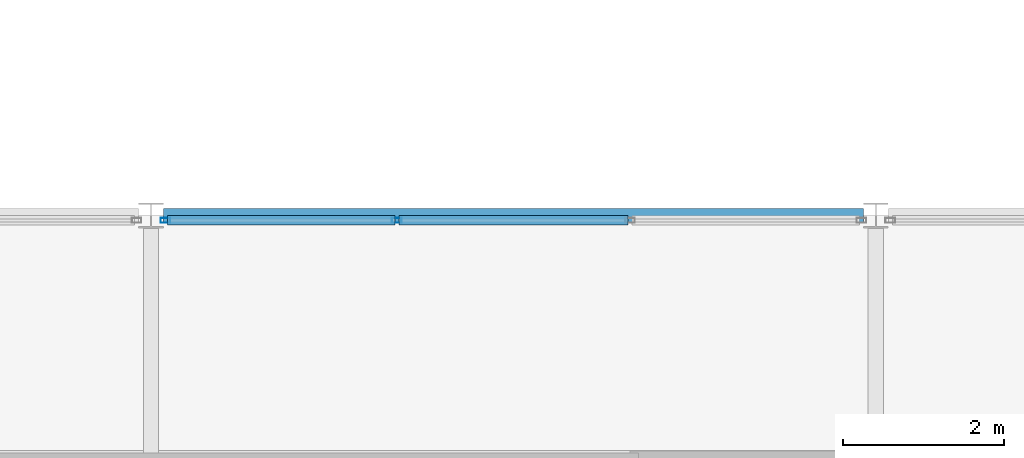
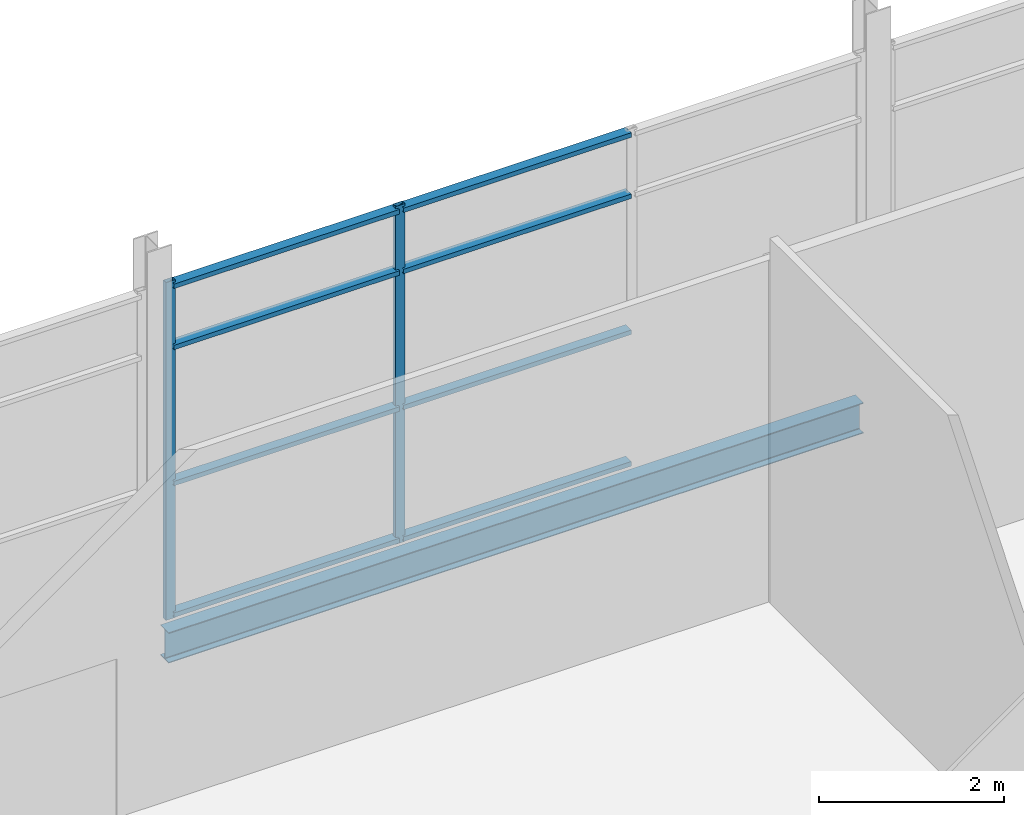
# One storey, part 16 of 61: 10 members, 1 beam, 1 element without a shape of its own.
"""IFC4 building model written with IfcOpenShell, lengths in metres."""

from ifc_helpers import new_model, si_unit, direction, frame, origin, origin_2d, place, context, subcontext, project, spatial, hollow_rectangle, i_section, extrude, material, layer, layer_set, material_profile, profile_set, type_object, element, aggregate, save


model = new_model("IFC4")

# Units and contexts
model_context = context("Model", 3, precision=1e-05, world=origin(), true_north=direction((0.0, 1.0)))
body_context = subcontext(model_context, "Body", "Model", "MODEL_VIEW")
ifc_project = project(units=[si_unit("LENGTHUNIT", "METRE"), si_unit("AREAUNIT", "SQUARE_METRE"), si_unit("VOLUMEUNIT", "CUBIC_METRE"), si_unit("PLANEANGLEUNIT", "RADIAN"), si_unit("MASSUNIT", "GRAM", prefix="KILO")], contexts=[model_context])

# Site, building, storey
site_placement = place(None, origin())
site = spatial("IfcSite", under=ifc_project, at=site_placement, CompositionType="ELEMENT")
building_placement = place(site_placement, origin())
building = spatial("IfcBuilding", under=site, at=building_placement, Name="Shorebreak Coast Museum", CompositionType="ELEMENT")
storey_placement = place(building_placement, frame((0.0, 0.0, 26.0)))
storey = spatial("IfcBuildingStorey", under=building, at=storey_placement, Name="L04", CompositionType="ELEMENT", Elevation=26.0)

# Beam
ifc_material_1 = material(Name="Steel Grade 300", Category="steel")
ifc_material_profile_1 = material_profile(ifc_material_1, i_section(OverallWidth=0.177978515625, OverallDepth=0.402587890625, WebThickness=0.007568359375, FlangeThickness=0.010986328125, FilletRadius=0.011474609375, at=origin_2d()), Name="410UB53.7")
ifc_profile_set_1 = profile_set([ifc_material_profile_1], Name="Steel Grade 300")
beam_type = type_object("IfcBeamType", Name="Floor girder east-west 410UB53.7", PredefinedType="BEAM", material=ifc_profile_set_1)
beam_placement = place(storey_placement, frame((81.154541015625, 63.0, -0.376220703125), z_axis=(1.0, 0.0, 0.0), x_axis=(0.0, 1.0, 0.0)))
element("IfcBeam", 1, at=beam_placement, inside=storey, type_object=beam_type, Name="Floor girder east-west L04 10H", PredefinedType="BEAM", context=body_context, shape_type="SweptSolid", body=[
    extrude(i_section(OverallWidth=0.177978515625, OverallDepth=0.402587890625, WebThickness=0.007568359375, FlangeThickness=0.010986328125, FilletRadius=0.011474609375, at=origin_2d()), origin(), (0.0, 0.0, 1.0), 8.69091796875),
])

# Curtain wall, members
ifc_material_2 = material(Name="Aluminium", Category="aluminium")
ifc_layer = layer(ifc_material_2, 0.1201171875)
ifc_layer_set = layer_set([ifc_layer], Name="Aluminium")
curtain_wall_type = type_object("IfcCurtainWallType", Name="Atrium fire screen", PredefinedType="NOTDEFINED", material=ifc_layer_set)
curtain_wall_placement = place(storey_placement, origin())
curtain_wall = element("IfcCurtainWall", 2, at=curtain_wall_placement, inside=storey, type_object=curtain_wall_type, Name="Atrium screen L04 S 51", PredefinedType="NOTDEFINED")
ifc_material_3 = material(Name="Aluminium", Category="aluminium")
ifc_material_profile_2 = material_profile(ifc_material_3, hollow_rectangle(XDim=0.06005859375, YDim=0.1201171875, WallThickness=0.00341796875, at=origin_2d()), Name="AL 120x60 RHS")
ifc_profile_set_2 = profile_set([ifc_material_profile_2], Name="Aluminium")
member_type_1 = type_object("IfcMemberType", Name="Screen mullion 50 x 120", PredefinedType="MULLION", material=ifc_profile_set_2)
member_1_placement = place(storey_placement, frame((81.178466796875, 62.93994140625, 0.0), z_axis=(0.0, 0.0, 1.0), x_axis=(0.0, 1.0, 0.0)))
member_1 = element("IfcMember", 3, at=member_1_placement, type_object=member_type_1, Name="CW4 mullion 1", PredefinedType="MULLION", context=body_context, shape_type="SweptSolid", body=[
    extrude(hollow_rectangle(XDim=0.06005859375, YDim=0.1201171875, WallThickness=0.00341796875, at=origin_2d()), origin(), (0.0, 0.0, 1.0), 4.469482421875),
])
member_2_placement = place(storey_placement, frame((84.05126953125, 62.93994140625, 0.0), z_axis=(0.0, 0.0, 1.0), x_axis=(0.0, 1.0, 0.0)))
member_2 = element("IfcMember", 4, at=member_2_placement, type_object=member_type_1, Name="CW4 mullion 2", PredefinedType="MULLION", context=body_context, shape_type="SweptSolid", body=[
    extrude(hollow_rectangle(XDim=0.06005859375, YDim=0.1201171875, WallThickness=0.00341796875, at=origin_2d()), origin(), (0.0, 0.0, 1.0), 4.469482421875),
])
ifc_material_4 = material(Name="Aluminium", Category="aluminium")
ifc_material_profile_3 = material_profile(ifc_material_4, hollow_rectangle(XDim=0.1201171875, YDim=0.06005859375, WallThickness=0.00341796875, at=origin_2d()), Name="AL 60x120 RHS")
ifc_profile_set_3 = profile_set([ifc_material_profile_3], Name="Aluminium")
member_type_2 = type_object("IfcMemberType", Name="Screen transom 120 x 50", PredefinedType="USERDEFINED", material=ifc_profile_set_3)
member_3_placement = place(storey_placement, frame((81.20361328125, 62.93994140625, 0.06005859375), z_axis=(1.0, 0.0, 0.0), x_axis=(0.0, 1.0, 0.0)))
member_3 = element("IfcMember", 5, at=member_3_placement, type_object=member_type_2, Name="CW4 transom 1.1", ObjectType="TRANSOM", PredefinedType="USERDEFINED", context=body_context, shape_type="SweptSolid", body=[
    extrude(hollow_rectangle(XDim=0.1201171875, YDim=0.06005859375, WallThickness=0.00341796875, at=origin_2d()), origin(), (0.0, 0.0, 1.0), 2.822509765625),
])
member_4_placement = place(storey_placement, frame((81.20361328125, 62.93994140625, 1.800048828125), z_axis=(1.0, 0.0, 0.0), x_axis=(0.0, 1.0, 0.0)))
member_4 = element("IfcMember", 6, at=member_4_placement, type_object=member_type_2, Name="CW4 transom 1.2", ObjectType="TRANSOM", PredefinedType="USERDEFINED", context=body_context, shape_type="SweptSolid", body=[
    extrude(hollow_rectangle(XDim=0.1201171875, YDim=0.06005859375, WallThickness=0.00341796875, at=origin_2d()), origin(), (0.0, 0.0, 1.0), 2.822509765625),
])
member_5_placement = place(storey_placement, frame((81.20361328125, 62.93994140625, 3.60009765625), z_axis=(1.0, 0.0, 0.0), x_axis=(0.0, 1.0, 0.0)))
member_5 = element("IfcMember", 7, at=member_5_placement, type_object=member_type_2, Name="CW4 transom 1.3", ObjectType="TRANSOM", PredefinedType="USERDEFINED", context=body_context, shape_type="SweptSolid", body=[
    extrude(hollow_rectangle(XDim=0.1201171875, YDim=0.06005859375, WallThickness=0.00341796875, at=origin_2d()), origin(), (0.0, 0.0, 1.0), 2.822509765625),
])
member_6_placement = place(storey_placement, frame((81.20361328125, 62.93994140625, 4.409423828125), z_axis=(1.0, 0.0, 0.0), x_axis=(0.0, 1.0, 0.0)))
member_6 = element("IfcMember", 8, at=member_6_placement, type_object=member_type_2, Name="CW4 transom 1.4", ObjectType="TRANSOM", PredefinedType="USERDEFINED", context=body_context, shape_type="SweptSolid", body=[
    extrude(hollow_rectangle(XDim=0.1201171875, YDim=0.06005859375, WallThickness=0.00341796875, at=origin_2d()), origin(), (0.0, 0.0, 1.0), 2.822509765625),
])
member_7_placement = place(storey_placement, frame((84.076171875, 62.93994140625, 0.06005859375), z_axis=(1.0, 0.0, 0.0), x_axis=(0.0, 1.0, 0.0)))
member_7 = element("IfcMember", 9, at=member_7_placement, type_object=member_type_2, Name="CW4 transom 2.1", ObjectType="TRANSOM", PredefinedType="USERDEFINED", context=body_context, shape_type="SweptSolid", body=[
    extrude(hollow_rectangle(XDim=0.1201171875, YDim=0.06005859375, WallThickness=0.00341796875, at=origin_2d()), origin(), (0.0, 0.0, 1.0), 2.84765625),
])
member_8_placement = place(storey_placement, frame((84.076171875, 62.93994140625, 1.800048828125), z_axis=(1.0, 0.0, 0.0), x_axis=(0.0, 1.0, 0.0)))
member_8 = element("IfcMember", 10, at=member_8_placement, type_object=member_type_2, Name="CW4 transom 2.2", ObjectType="TRANSOM", PredefinedType="USERDEFINED", context=body_context, shape_type="SweptSolid", body=[
    extrude(hollow_rectangle(XDim=0.1201171875, YDim=0.06005859375, WallThickness=0.00341796875, at=origin_2d()), origin(), (0.0, 0.0, 1.0), 2.84765625),
])
member_9_placement = place(storey_placement, frame((84.076171875, 62.93994140625, 3.60009765625), z_axis=(1.0, 0.0, 0.0), x_axis=(0.0, 1.0, 0.0)))
member_9 = element("IfcMember", 11, at=member_9_placement, type_object=member_type_2, Name="CW4 transom 2.3", ObjectType="TRANSOM", PredefinedType="USERDEFINED", context=body_context, shape_type="SweptSolid", body=[
    extrude(hollow_rectangle(XDim=0.1201171875, YDim=0.06005859375, WallThickness=0.00341796875, at=origin_2d()), origin(), (0.0, 0.0, 1.0), 2.84765625),
])
member_10_placement = place(storey_placement, frame((84.076171875, 62.93994140625, 4.409423828125), z_axis=(1.0, 0.0, 0.0), x_axis=(0.0, 1.0, 0.0)))
member_10 = element("IfcMember", 12, at=member_10_placement, type_object=member_type_2, Name="CW4 transom 2.4", ObjectType="TRANSOM", PredefinedType="USERDEFINED", context=body_context, shape_type="SweptSolid", body=[
    extrude(hollow_rectangle(XDim=0.1201171875, YDim=0.06005859375, WallThickness=0.00341796875, at=origin_2d()), origin(), (0.0, 0.0, 1.0), 2.84765625),
])
aggregate(curtain_wall, [member_1, member_2, member_3, member_4, member_5, member_6, member_7, member_8, member_9, member_10])

save(model, "model.ifc")
